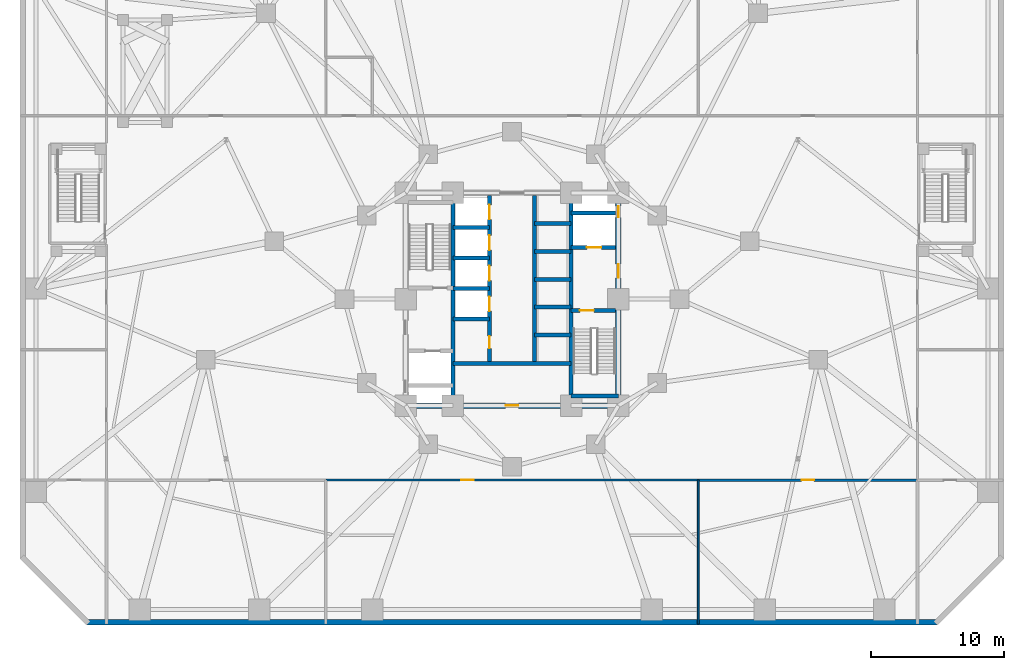
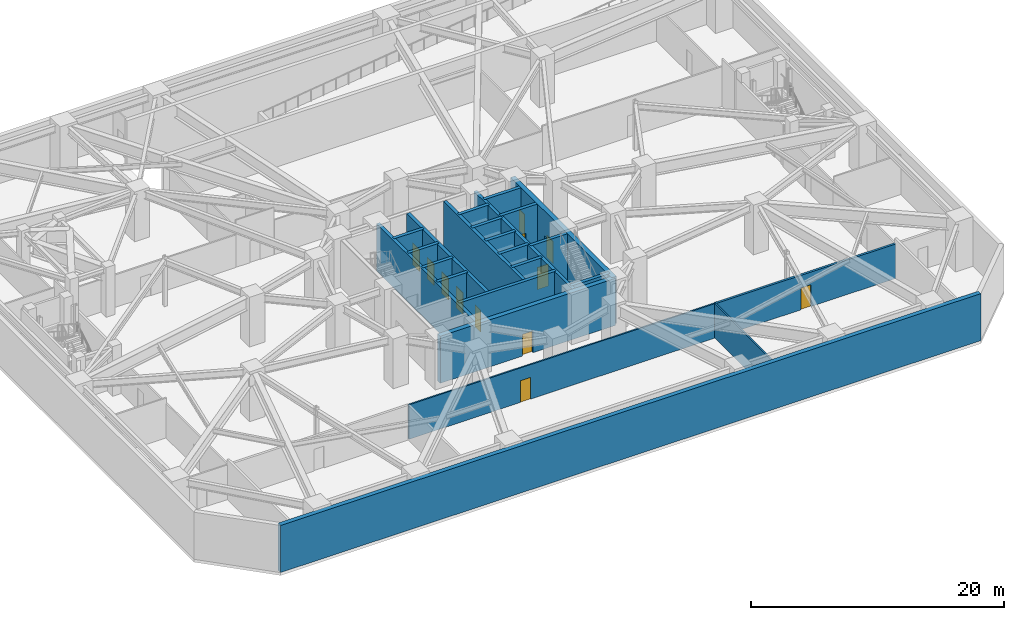
# One storey, part 12 of 18: 24 walls, 12 doors, 12 openings.
"""IFC4 building model written with IfcOpenShell, lengths in metres."""

from ifc_helpers import new_model, si_unit, direction, frame, frame_2d, origin, place, context, subcontext, project, spatial, rectangle, extrude, material, layer, layer_set, type_object, element, fill, save


model = new_model("IFC4")

# Units and contexts
model_context = context("Model", 3, precision=1e-05, world=origin(), true_north=direction((0.0, 1.0)))
body_context = subcontext(model_context, "Body", "Model", "MODEL_VIEW")
ifc_project = project(units=[si_unit("LENGTHUNIT", "METRE"), si_unit("AREAUNIT", "SQUARE_METRE"), si_unit("VOLUMEUNIT", "CUBIC_METRE"), si_unit("PLANEANGLEUNIT", "RADIAN"), si_unit("MASSUNIT", "GRAM", prefix="KILO")], contexts=[model_context])

# Site, building, storey
site_placement = place(None, origin())
site = spatial("IfcSite", under=ifc_project, at=site_placement, CompositionType="ELEMENT")
building_placement = place(site_placement, origin())
building = spatial("IfcBuilding", under=site, at=building_placement, Name="Terralouvre Media Tower", CompositionType="ELEMENT")
storey_placement = place(building_placement, frame((0.0, 0.0, -4.800048828125)))
storey = spatial("IfcBuildingStorey", under=building, at=storey_placement, Name="B01", CompositionType="ELEMENT", Elevation=-4.800048828125)

# Walls
ifc_material_1 = material(Name="Concrete C50/60", Category="concrete")
ifc_layer_1 = layer(ifc_material_1, 0.39990234375, Name="Basement Perimeter Retaining Wall EW-RC400")
ifc_layer_set_1 = layer_set([ifc_layer_1], Name="Concrete C50/60")
wall_type_1 = type_object("IfcWallType", Name="Basement Perimeter Retaining Wall EW-RC400", PredefinedType="USERDEFINED", material=ifc_layer_set_1)
wall_1_placement = place(storey_placement, frame((-32.0, -24.300048828125, 0.0), z_axis=(0.0, 0.0, 1.0), x_axis=(1.0, 0.0, 0.0)))
element("IfcWall", 1, at=wall_1_placement, inside=storey, type_object=wall_type_1, Name="B01 Perimeter Retaining Wall 01", ObjectType="RETAINING", PredefinedType="USERDEFINED", context=body_context, shape_type="SweptSolid", body=[
    extrude(rectangle(XDim=64.0, YDim=0.39990234375, at=frame_2d((32.0, 0.0))), origin(), (0.0, 0.0, 1.0), 4.550048828125),
])
ifc_material_2 = material(Name="Concrete C50/60", Category="concrete")
ifc_layer_2 = layer(ifc_material_2, 0.300048828125, Name="Core Internal Shaft Wall CW-300")
ifc_layer_set_2 = layer_set([ifc_layer_2], Name="Concrete C50/60")
wall_type_2 = type_object("IfcWallType", Name="Core Internal Shaft Wall CW-300", PredefinedType="SHEAR", material=ifc_layer_set_2)
for number, where, z_axis, x_axis, name in (
    (2, (-4.449951171875, -7.7900390625, 0.0), (0.0, 0.0, 1.0), (0.0, 1.0, 0.0), "B01 Core Shaft Wall SPW"),
    (3, (4.449951171875, -7.7900390625, 0.0), (0.0, 0.0, 1.0), (0.0, 1.0, 0.0), "B01 Core Shaft Wall SPE"),
):
    element("IfcWall", number, at=place(storey_placement, frame(where, z_axis=z_axis, x_axis=x_axis)), inside=storey, type_object=wall_type_2, Name=name, PredefinedType="SHEAR", context=body_context, shape_type="SweptSolid", body=[
        extrude(rectangle(XDim=15.580078125, YDim=0.300048828125, at=frame_2d((7.7900390625, 0.0))), origin(), (0.0, 0.0, 1.0), 4.550048828125),
    ])

# Wall, opening, door
wall_2_placement = place(storey_placement, frame((4.449951171875, -0.85009765625, 0.0), z_axis=(0.0, 0.0, 1.0), x_axis=(1.0, 0.0, 0.0)))
wall_2 = element("IfcWall", 4, at=wall_2_placement, inside=storey, type_object=wall_type_2, Name="B01 Core Shaft Wall ST2D", PredefinedType="SHEAR", context=body_context, shape_type="SweptSolid", body=[
    extrude(rectangle(XDim=3.340087890625, YDim=0.300048828125, at=frame_2d((1.669921875, 0.0))), origin(), (0.0, 0.0, 1.0), 4.550048828125),
])
opening_1_placement = place(wall_2_placement, frame((0.64990234375, 0.0, 0.0)))
opening_1 = element("IfcOpeningElement", 5, at=opening_1_placement, cuts=wall_2, Name="Opening FD-01-105X215", PredefinedType="OPENING", context=body_context, shape_type="SweptSolid", body=[
    extrude(rectangle(XDim=1.050048828125, YDim=2.14990234375, at=frame_2d((0.52490234375, 1.074951171875))), frame((0.0, 0.159912109375, 0.0), z_axis=(0.0, -1.0, 0.0), x_axis=(1.0, 0.0, 0.0)), (0.0, 0.0, 1.0), 0.320068359375),
])
ifc_material_3 = material(Name="Galvanised steel fire-resisting leaf", Category="steel")
door_type_1 = type_object("IfcDoorType", Name="Stair and Firefighting Lobby Fire Door FD-01 (1050x2150)", OperationType="NOTDEFINED", PredefinedType="DOOR", material=ifc_material_3)
door_1_placement = place(opening_1_placement, origin())
door_1 = element("IfcDoor", 6, at=door_1_placement, inside=storey, type_object=door_type_1, Name="B01 ST-02 Exit Stair Door", OperationType="SINGLE_SWING_RIGHT", OverallHeight=2.14990234375, OverallWidth=1.050048828125, PredefinedType="DOOR", context=body_context, shape_type="SweptSolid", body=[
    extrude(rectangle(XDim=1.050048828125, YDim=2.14990234375, at=frame_2d((0.52490234375, 1.074951171875))), frame((0.0, 0.02490234375, 0.0), z_axis=(0.0, -1.0, 0.0), x_axis=(1.0, 0.0, 0.0)), (0.0, 0.0, 1.0), 0.050048828125),
])
fill(opening_1, door_1)

# Wall
wall_3_placement = place(storey_placement, frame((4.449951171875, -7.260009765625, 0.0), z_axis=(0.0, 0.0, 1.0), x_axis=(1.0, 0.0, 0.0)))
element("IfcWall", 7, at=wall_3_placement, inside=storey, type_object=wall_type_2, Name="B01 Core Shaft Wall ST2F", PredefinedType="SHEAR", context=body_context, shape_type="SweptSolid", body=[
    extrude(rectangle(XDim=3.550048828125, YDim=0.300048828125, at=frame_2d((1.77490234375, 0.0))), origin(), (0.0, 0.0, 1.0), 4.550048828125),
])

# Wall, opening, door
wall_4_placement = place(storey_placement, frame((4.449951171875, 3.89990234375, 0.0), z_axis=(0.0, 0.0, 1.0), x_axis=(1.0, 0.0, 0.0)))
wall_4 = element("IfcWall", 8, at=wall_4_placement, inside=storey, type_object=wall_type_2, Name="B01 Core Shaft Wall FF2S", PredefinedType="SHEAR", context=body_context, shape_type="SweptSolid", body=[
    extrude(rectangle(XDim=3.340087890625, YDim=0.300048828125, at=frame_2d((1.669921875, 0.0))), origin(), (0.0, 0.0, 1.0), 4.550048828125),
])
opening_2_placement = place(wall_4_placement, frame((1.179931640625, 0.0, 0.0)))
opening_2 = element("IfcOpeningElement", 9, at=opening_2_placement, cuts=wall_4, Name="Opening LD-FF", PredefinedType="OPENING", context=body_context, shape_type="SweptSolid", body=[
    extrude(rectangle(XDim=1.10009765625, YDim=2.10009765625, at=frame_2d((0.550048828125, 1.050048828125))), frame((0.0, 0.159912109375, 0.0), z_axis=(0.0, -1.0, 0.0), x_axis=(1.0, 0.0, 0.0)), (0.0, 0.0, 1.0), 0.320068359375),
])
ifc_material_4 = material(Name="Stainless steel 316 handrail and balustrade", Category="steel")
door_type_2 = type_object("IfcDoorType", Name="Firefighting Lift Sliding Landing Door LD-FF", OperationType="SLIDING_TO_LEFT", PredefinedType="DOOR", material=ifc_material_4)
door_2_placement = place(opening_2_placement, origin())
door_2 = element("IfcDoor", 10, at=door_2_placement, inside=storey, type_object=door_type_2, Name="B01 Firefighting Lift FFL-02 Landing Door", OperationType="SLIDING_TO_LEFT", OverallHeight=2.10009765625, OverallWidth=1.10009765625, PredefinedType="DOOR", context=body_context, shape_type="SweptSolid", body=[
    extrude(rectangle(XDim=1.10009765625, YDim=2.10009765625, at=frame_2d((0.550048828125, 1.050048828125))), frame((0.0, 0.02490234375, 0.0), z_axis=(0.0, -1.0, 0.0), x_axis=(1.0, 0.0, 0.0)), (0.0, 0.0, 1.0), 0.050048828125),
])
fill(opening_2, door_2)

# Walls
wall_5_placement = place(storey_placement, frame((4.449951171875, 6.5, 0.0), z_axis=(0.0, 0.0, 1.0), x_axis=(1.0, 0.0, 0.0)))
element("IfcWall", 11, at=wall_5_placement, inside=storey, type_object=wall_type_2, Name="B01 Core Shaft Wall FF2N", PredefinedType="SHEAR", context=body_context, shape_type="SweptSolid", body=[
    extrude(rectangle(XDim=3.340087890625, YDim=0.300048828125, at=frame_2d((1.669921875, 0.0))), origin(), (0.0, 0.0, 1.0), 4.550048828125),
])
wall_6_placement = place(storey_placement, frame((-4.449951171875, -4.85009765625, 0.0), z_axis=(0.0, 0.0, 1.0), x_axis=(1.0, 0.0, 0.0)))
element("IfcWall", 12, at=wall_6_placement, inside=storey, type_object=wall_type_2, Name="B01 Core Shaft Wall CSBN", PredefinedType="SHEAR", context=body_context, shape_type="SweptSolid", body=[
    extrude(rectangle(XDim=8.89990234375, YDim=0.300048828125, at=frame_2d((4.449951171875, 0.0))), origin(), (0.0, 0.0, 1.0), 4.550048828125),
])

# Wall, openings, doors
wall_7_placement = place(storey_placement, frame((-1.679931640625, -4.85009765625, 0.0), z_axis=(0.0, 0.0, 1.0), x_axis=(0.0, 1.0, 0.0)))
wall_7 = element("IfcWall", 13, at=wall_7_placement, inside=storey, type_object=wall_type_2, Name="B01 Core Shaft Wall LBW", PredefinedType="SHEAR", context=body_context, shape_type="SweptSolid", body=[
    extrude(rectangle(XDim=12.64013671875, YDim=0.300048828125, at=frame_2d((6.320068359375, 0.0))), origin(), (0.0, 0.0, 1.0), 4.550048828125),
])
opening_3_placement = place(wall_7_placement, frame((3.949951171875, 0.0, 0.0)))
opening_3 = element("IfcOpeningElement", 14, at=opening_3_placement, cuts=wall_7, Name="Opening LD-PL", PredefinedType="OPENING", context=body_context, shape_type="SweptSolid", body=[
    extrude(rectangle(XDim=1.10009765625, YDim=2.10009765625, at=frame_2d((0.550048828125, 1.050048828125))), frame((0.0, 0.159912109375, 0.0), z_axis=(0.0, -1.0, 0.0), x_axis=(1.0, 0.0, 0.0)), (0.0, 0.0, 1.0), 0.320068359375),
])
opening_4_placement = place(wall_7_placement, frame((6.25, 0.0, 0.0)))
opening_4 = element("IfcOpeningElement", 15, at=opening_4_placement, cuts=wall_7, Name="Opening LD-PL", PredefinedType="OPENING", context=body_context, shape_type="SweptSolid", body=[
    extrude(rectangle(XDim=1.10009765625, YDim=2.10009765625, at=frame_2d((0.550048828125, 1.050048828125))), frame((0.0, 0.159912109375, 0.0), z_axis=(0.0, -1.0, 0.0), x_axis=(1.0, 0.0, 0.0)), (0.0, 0.0, 1.0), 0.320068359375),
])
opening_5_placement = place(wall_7_placement, frame((8.550048828125, 0.0, 0.0)))
opening_5 = element("IfcOpeningElement", 16, at=opening_5_placement, cuts=wall_7, Name="Opening LD-PL", PredefinedType="OPENING", context=body_context, shape_type="SweptSolid", body=[
    extrude(rectangle(XDim=1.10009765625, YDim=2.10009765625, at=frame_2d((0.550048828125, 1.050048828125))), frame((0.0, 0.159912109375, 0.0), z_axis=(0.0, -1.0, 0.0), x_axis=(1.0, 0.0, 0.0)), (0.0, 0.0, 1.0), 0.320068359375),
])
opening_6_placement = place(wall_7_placement, frame((10.85009765625, 0.0, 0.0)))
opening_6 = element("IfcOpeningElement", 17, at=opening_6_placement, cuts=wall_7, Name="Opening LD-PL", PredefinedType="OPENING", context=body_context, shape_type="SweptSolid", body=[
    extrude(rectangle(XDim=1.10009765625, YDim=2.10009765625, at=frame_2d((0.550048828125, 1.050048828125))), frame((0.0, 0.159912109375, 0.0), z_axis=(0.0, -1.0, 0.0), x_axis=(1.0, 0.0, 0.0)), (0.0, 0.0, 1.0), 0.320068359375),
])
opening_7_placement = place(wall_7_placement, frame((1.14990234375, 0.0, 0.0)))
opening_7 = element("IfcOpeningElement", 18, at=opening_7_placement, cuts=wall_7, Name="Opening FD-05-92X210", PredefinedType="OPENING", context=body_context, shape_type="SweptSolid", body=[
    extrude(rectangle(XDim=0.919921875, YDim=2.10009765625, at=frame_2d((0.4599609375, 1.050048828125))), frame((0.0, 0.159912109375, 0.0), z_axis=(0.0, -1.0, 0.0), x_axis=(1.0, 0.0, 0.0)), (0.0, 0.0, 1.0), 0.320068359375),
])
ifc_material_5 = material(Name="Galvanised steel fire-resisting leaf", Category="steel")
door_type_3 = type_object("IfcDoorType", Name="Core Accessible Closet Fire Door FD-05 (920x2100)", OperationType="NOTDEFINED", PredefinedType="DOOR", material=ifc_material_5)
door_3_placement = place(opening_7_placement, origin())
door_3 = element("IfcDoor", 19, at=door_3_placement, inside=storey, type_object=door_type_3, Name="B01 Core Cleaners Closet Door", OperationType="SINGLE_SWING_LEFT", OverallHeight=2.10009765625, OverallWidth=0.919921875, PredefinedType="DOOR", context=body_context, shape_type="SweptSolid", body=[
    extrude(rectangle(XDim=0.919921875, YDim=2.10009765625, at=frame_2d((0.4599609375, 1.050048828125))), frame((0.0, 0.02490234375, 0.0), z_axis=(0.0, -1.0, 0.0), x_axis=(1.0, 0.0, 0.0)), (0.0, 0.0, 1.0), 0.050048828125),
])
fill(opening_7, door_3)
ifc_material_6 = material(Name="Stainless steel 316 handrail and balustrade", Category="steel")
door_type_4 = type_object("IfcDoorType", Name="Passenger Lift Sliding Landing Door LD-PL", OperationType="SLIDING_TO_LEFT", PredefinedType="DOOR", material=ifc_material_6)
door_4_placement = place(opening_3_placement, origin())
door_4 = element("IfcDoor", 20, at=door_4_placement, inside=storey, type_object=door_type_4, Name="B01 Low-Rise Lift PL-L1 Landing Door", OperationType="SLIDING_TO_LEFT", OverallHeight=2.10009765625, OverallWidth=1.10009765625, PredefinedType="DOOR", context=body_context, shape_type="SweptSolid", body=[
    extrude(rectangle(XDim=1.10009765625, YDim=2.10009765625, at=frame_2d((0.550048828125, 1.050048828125))), frame((0.0, 0.02490234375, 0.0), z_axis=(0.0, -1.0, 0.0), x_axis=(1.0, 0.0, 0.0)), (0.0, 0.0, 1.0), 0.050048828125),
])
fill(opening_3, door_4)
door_5_placement = place(opening_4_placement, origin())
door_5 = element("IfcDoor", 21, at=door_5_placement, inside=storey, type_object=door_type_4, Name="B01 Low-Rise Lift PL-L2 Landing Door", OperationType="SLIDING_TO_LEFT", OverallHeight=2.10009765625, OverallWidth=1.10009765625, PredefinedType="DOOR", context=body_context, shape_type="SweptSolid", body=[
    extrude(rectangle(XDim=1.10009765625, YDim=2.10009765625, at=frame_2d((0.550048828125, 1.050048828125))), frame((0.0, 0.02490234375, 0.0), z_axis=(0.0, -1.0, 0.0), x_axis=(1.0, 0.0, 0.0)), (0.0, 0.0, 1.0), 0.050048828125),
])
fill(opening_4, door_5)
door_6_placement = place(opening_5_placement, origin())
door_6 = element("IfcDoor", 22, at=door_6_placement, inside=storey, type_object=door_type_4, Name="B01 Low-Rise Lift PL-L3 Landing Door", OperationType="SLIDING_TO_LEFT", OverallHeight=2.10009765625, OverallWidth=1.10009765625, PredefinedType="DOOR", context=body_context, shape_type="SweptSolid", body=[
    extrude(rectangle(XDim=1.10009765625, YDim=2.10009765625, at=frame_2d((0.550048828125, 1.050048828125))), frame((0.0, 0.02490234375, 0.0), z_axis=(0.0, -1.0, 0.0), x_axis=(1.0, 0.0, 0.0)), (0.0, 0.0, 1.0), 0.050048828125),
])
fill(opening_5, door_6)
door_7_placement = place(opening_6_placement, origin())
door_7 = element("IfcDoor", 23, at=door_7_placement, inside=storey, type_object=door_type_4, Name="B01 Low-Rise Lift PL-L4 Landing Door", OperationType="SLIDING_TO_LEFT", OverallHeight=2.10009765625, OverallWidth=1.10009765625, PredefinedType="DOOR", context=body_context, shape_type="SweptSolid", body=[
    extrude(rectangle(XDim=1.10009765625, YDim=2.10009765625, at=frame_2d((0.550048828125, 1.050048828125))), frame((0.0, 0.02490234375, 0.0), z_axis=(0.0, -1.0, 0.0), x_axis=(1.0, 0.0, 0.0)), (0.0, 0.0, 1.0), 0.050048828125),
])
fill(opening_6, door_7)

# Walls
wall_8_placement = place(storey_placement, frame((1.679931640625, -4.85009765625, 0.0), z_axis=(0.0, 0.0, 1.0), x_axis=(0.0, 1.0, 0.0)))
element("IfcWall", 24, at=wall_8_placement, inside=storey, type_object=wall_type_2, Name="B01 Core Shaft Wall LBE", PredefinedType="SHEAR", context=body_context, shape_type="SweptSolid", body=[
    extrude(rectangle(XDim=12.64013671875, YDim=0.300048828125, at=frame_2d((6.320068359375, 0.0))), origin(), (0.0, 0.0, 1.0), 4.550048828125),
])
for number, where, z_axis, x_axis, name in (
    (25, (-4.449951171875, -1.5, 0.0), (0.0, 0.0, 1.0), (1.0, 0.0, 0.0), "B01 Core Shaft Wall PLLD0"),
    (26, (-4.449951171875, 0.800048828125, 0.0), (0.0, 0.0, 1.0), (1.0, 0.0, 0.0), "B01 Core Shaft Wall PLLD1"),
    (27, (-4.449951171875, 3.10009765625, 0.0), (0.0, 0.0, 1.0), (1.0, 0.0, 0.0), "B01 Core Shaft Wall PLLD2"),
    (28, (-4.449951171875, 5.39990234375, 0.0), (0.0, 0.0, 1.0), (1.0, 0.0, 0.0), "B01 Core Shaft Wall PLLD3"),
    (29, (1.679931640625, 1.5, 0.0), (0.0, 0.0, 1.0), (1.0, 0.0, 0.0), "B01 Core Shaft Wall PLMD0"),
    (30, (1.679931640625, 3.60009765625, 0.0), (0.0, 0.0, 1.0), (1.0, 0.0, 0.0), "B01 Core Shaft Wall PLMD1"),
    (31, (1.679931640625, 5.699951171875, 0.0), (0.0, 0.0, 1.0), (1.0, 0.0, 0.0), "B01 Core Shaft Wall PLMD2"),
    (32, (1.679931640625, -2.699951171875, 0.0), (0.0, 0.0, 1.0), (1.0, 0.0, 0.0), "B01 Core Shaft Wall PLHD1"),
    (33, (1.679931640625, -0.60009765625, 0.0), (0.0, 0.0, 1.0), (1.0, 0.0, 0.0), "B01 Core Shaft Wall PLHD2"),
):
    element("IfcWall", number, at=place(storey_placement, frame(where, z_axis=z_axis, x_axis=x_axis)), inside=storey, type_object=wall_type_2, Name=name, PredefinedType="SHEAR", context=body_context, shape_type="SweptSolid", body=[
        extrude(rectangle(XDim=2.77001953125, YDim=0.300048828125, at=frame_2d((1.385009765625, 0.0))), origin(), (0.0, 0.0, 1.0), 4.550048828125),
    ])

# Wall, openings, doors
ifc_material_7 = material(Name="Concrete C60/75", Category="concrete")
ifc_layer_3 = layer(ifc_material_7, 0.419921875, Name="Core Reinforced Concrete Shear Wall CW-420")
ifc_layer_set_3 = layer_set([ifc_layer_3], Name="Concrete C60/75")
wall_type_3 = type_object("IfcWallType", Name="Core Reinforced Concrete Shear Wall CW-420", PredefinedType="SHEAR", material=ifc_layer_set_3)
wall_9_placement = place(storey_placement, frame((8.0, -8.0, 0.0), z_axis=(0.0, 0.0, 1.0), x_axis=(0.0, 1.0, 0.0)))
wall_9 = element("IfcWall", 34, at=wall_9_placement, inside=storey, type_object=wall_type_3, Name="B01 E Core Shear Wall", PredefinedType="SHEAR", context=body_context, shape_type="SweptSolid", body=[
    extrude(rectangle(XDim=16.0, YDim=0.419921875, at=frame_2d((8.0, 0.0))), origin(), (0.0, 0.0, 1.0), 4.550048828125),
])
opening_8_placement = place(wall_9_placement, frame((9.60009765625, 0.0, 0.0)))
opening_8 = element("IfcOpeningElement", 35, at=opening_8_placement, cuts=wall_9, Name="Opening FD-01-105X215", PredefinedType="OPENING", context=body_context, shape_type="SweptSolid", body=[
    extrude(rectangle(XDim=1.050048828125, YDim=2.14990234375, at=frame_2d((0.52490234375, 1.074951171875))), frame((0.0, 0.219970703125, 0.0), z_axis=(0.0, -1.0, 0.0), x_axis=(1.0, 0.0, 0.0)), (0.0, 0.0, 1.0), 0.43994140625),
])
opening_9_placement = place(wall_9_placement, frame((14.148193359375, 0.0, 0.0)))
opening_9 = element("IfcOpeningElement", 36, at=opening_9_placement, cuts=wall_9, Name="Opening TD-R1", PredefinedType="OPENING", context=body_context, shape_type="SweptSolid", body=[
    extrude(rectangle(XDim=0.85009765625, YDim=2.02001953125, at=frame_2d((0.425048828125, 1.010009765625))), frame((0.0, 0.219970703125, 0.0), z_axis=(0.0, -1.0, 0.0), x_axis=(1.0, 0.0, 0.0)), (0.0, 0.0, 1.0), 0.43994140625),
])
ifc_material_8 = material(Name="Galvanised steel fire-resisting leaf", Category="steel")
door_type_5 = type_object("IfcDoorType", Name="Riser Inspection Access Trapdoor TD-R1", OperationType="NOTDEFINED", PredefinedType="TRAPDOOR", material=ifc_material_8)
door_8_placement = place(opening_9_placement, origin())
door_8 = element("IfcDoor", 37, at=door_8_placement, inside=storey, type_object=door_type_5, Name="B01 East Comms Riser Access Trapdoor", OperationType="SINGLE_SWING_RIGHT", OverallHeight=2.02001953125, OverallWidth=0.85009765625, PredefinedType="TRAPDOOR", context=body_context, shape_type="SweptSolid", body=[
    extrude(rectangle(XDim=0.85009765625, YDim=2.02001953125, at=frame_2d((0.425048828125, 1.010009765625))), frame((0.0, 0.02490234375, 0.0), z_axis=(0.0, -1.0, 0.0), x_axis=(1.0, 0.0, 0.0)), (0.0, 0.0, 1.0), 0.050048828125),
])
fill(opening_9, door_8)
door_9_placement = place(opening_8_placement, origin())
door_9 = element("IfcDoor", 38, at=door_9_placement, inside=storey, type_object=door_type_1, Name="B01 East Firefighting Lobby Entry Door", OperationType="SINGLE_SWING_LEFT", OverallHeight=2.14990234375, OverallWidth=1.050048828125, PredefinedType="DOOR", context=body_context, shape_type="SweptSolid", body=[
    extrude(rectangle(XDim=1.050048828125, YDim=2.14990234375, at=frame_2d((0.52490234375, 1.074951171875))), frame((0.0, 0.02490234375, 0.0), z_axis=(0.0, -1.0, 0.0), x_axis=(1.0, 0.0, 0.0)), (0.0, 0.0, 1.0), 0.050048828125),
])
fill(opening_8, door_9)

# Wall, opening, door
wall_10_placement = place(storey_placement, frame((-8.0, -8.0, 0.0), z_axis=(0.0, 0.0, 1.0), x_axis=(1.0, 0.0, 0.0)))
wall_10 = element("IfcWall", 39, at=wall_10_placement, inside=storey, type_object=wall_type_3, Name="B01 S Core Shear Wall", PredefinedType="SHEAR", context=body_context, shape_type="SweptSolid", body=[
    extrude(rectangle(XDim=16.0, YDim=0.419921875, at=frame_2d((8.0, 0.0))), origin(), (0.0, 0.0, 1.0), 4.550048828125),
])
opening_10_placement = place(wall_10_placement, frame((7.52001953125, 0.0, 0.0)))
opening_10 = element("IfcOpeningElement", 40, at=opening_10_placement, cuts=wall_10, Name="Opening FD-02-95X210", PredefinedType="OPENING", context=body_context, shape_type="SweptSolid", body=[
    extrude(rectangle(XDim=0.949951171875, YDim=2.10009765625, at=frame_2d((0.47509765625, 1.050048828125))), frame((0.0, 0.219970703125, 0.0), z_axis=(0.0, -1.0, 0.0), x_axis=(1.0, 0.0, 0.0)), (0.0, 0.0, 1.0), 0.43994140625),
])
ifc_material_9 = material(Name="Galvanised steel fire-resisting leaf", Category="steel")
door_type_6 = type_object("IfcDoorType", Name="Plant and Riser Fire Door FD-02 (950x2100)", OperationType="NOTDEFINED", PredefinedType="DOOR", material=ifc_material_9)
door_10_placement = place(opening_10_placement, origin())
door_10 = element("IfcDoor", 41, at=door_10_placement, inside=storey, type_object=door_type_6, Name="B01 Core Switchgear Plant Door", OperationType="SINGLE_SWING_LEFT", OverallHeight=2.10009765625, OverallWidth=0.949951171875, PredefinedType="DOOR", context=body_context, shape_type="SweptSolid", body=[
    extrude(rectangle(XDim=0.949951171875, YDim=2.10009765625, at=frame_2d((0.47509765625, 1.050048828125))), frame((0.0, 0.02490234375, 0.0), z_axis=(0.0, -1.0, 0.0), x_axis=(1.0, 0.0, 0.0)), (0.0, 0.0, 1.0), 0.050048828125),
])
fill(opening_10, door_10)

ifc_material_10 = material(Name="Fire-rated gypsum board drywall partition")
ifc_layer_4 = layer(ifc_material_10, 0.199951171875, Name="Fire-Rated Shaft and Lobby Partition FW-200")
ifc_layer_set_4 = layer_set([ifc_layer_4], Name="Fire-rated gypsum board drywall partition")
wall_type_4 = type_object("IfcWallType", Name="Fire-Rated Shaft and Lobby Partition FW-200", PredefinedType="SOLIDWALL", material=ifc_layer_set_4)
wall_11_placement = place(storey_placement, frame((14.0, -13.60009765625, 0.0), z_axis=(0.0, 0.0, 1.0), x_axis=(1.0, 0.0, 0.0)))
wall_11 = element("IfcWall", 42, at=wall_11_placement, inside=storey, type_object=wall_type_4, Name="B01 Interior Partition 004", PredefinedType="SOLIDWALL", context=body_context, shape_type="SweptSolid", body=[
    extrude(rectangle(XDim=16.5, YDim=0.199951171875, at=frame_2d((8.25, 0.0))), origin(), (0.0, 0.0, 1.0), 3.3349609375),
])
opening_11_placement = place(wall_11_placement, frame((7.77490234375, 0.0, 0.0)))
opening_11 = element("IfcOpeningElement", 43, at=opening_11_placement, cuts=wall_11, Name="Opening FD-02-95X210", PredefinedType="OPENING", context=body_context, shape_type="SweptSolid", body=[
    extrude(rectangle(XDim=0.949951171875, YDim=2.10009765625, at=frame_2d((0.47509765625, 1.050048828125))), frame((0.0, 0.10986328125, 0.0), z_axis=(0.0, -1.0, 0.0), x_axis=(1.0, 0.0, 0.0)), (0.0, 0.0, 1.0), 0.219970703125),
])
door_11_placement = place(opening_11_placement, origin())
door_11 = element("IfcDoor", 44, at=door_11_placement, inside=storey, type_object=door_type_6, Name="B01 B01 Emergency Generator Plant Room Door", OperationType="SINGLE_SWING_LEFT", OverallHeight=2.10009765625, OverallWidth=0.949951171875, PredefinedType="DOOR", context=body_context, shape_type="SweptSolid", body=[
    extrude(rectangle(XDim=0.949951171875, YDim=2.10009765625, at=frame_2d((0.47509765625, 1.050048828125))), frame((0.0, 0.02490234375, 0.0), z_axis=(0.0, -1.0, 0.0), x_axis=(1.0, 0.0, 0.0)), (0.0, 0.0, 1.0), 0.050048828125),
])
fill(opening_11, door_11)

ifc_material_11 = material(Name="Fire-rated gypsum board drywall partition")
ifc_layer_5 = layer(ifc_material_11, 0.135009765625, Name="Newsroom Acoustic Partition PT-135")
ifc_layer_set_5 = layer_set([ifc_layer_5], Name="Fire-rated gypsum board drywall partition")
wall_type_5 = type_object("IfcWallType", Name="Newsroom Acoustic Partition PT-135", PredefinedType="PARTITIONING", material=ifc_layer_set_5)
wall_12_placement = place(storey_placement, frame((-14.0, -13.60009765625, 0.0), z_axis=(0.0, 0.0, 1.0), x_axis=(1.0, 0.0, 0.0)))
wall_12 = element("IfcWall", 45, at=wall_12_placement, inside=storey, type_object=wall_type_5, Name="B01 Interior Partition 003", PredefinedType="PARTITIONING", context=body_context, shape_type="SweptSolid", body=[
    extrude(rectangle(XDim=28.0, YDim=0.135009765625, at=frame_2d((14.0, 0.0))), origin(), (0.0, 0.0, 1.0), 3.3349609375),
])
opening_12_placement = place(wall_12_placement, frame((10.1650390625, 0.0, 0.0)))
opening_12 = element("IfcOpeningElement", 46, at=opening_12_placement, cuts=wall_12, Name="Opening ID-02-95X210", PredefinedType="OPENING", context=body_context, shape_type="SweptSolid", body=[
    extrude(rectangle(XDim=0.949951171875, YDim=2.10009765625, at=frame_2d((0.47509765625, 1.050048828125))), frame((0.0, 0.077392578125, 0.0), z_axis=(0.0, -1.0, 0.0), x_axis=(1.0, 0.0, 0.0)), (0.0, 0.0, 1.0), 0.155029296875),
])
ifc_material_12 = material(Name="Engineered hardwood acoustic timber leaf", Category="wood")
door_type_7 = type_object("IfcDoorType", Name="Office and Meeting Room Door ID-02 (950x2100)", OperationType="NOTDEFINED", PredefinedType="DOOR", material=ifc_material_12)
door_12_placement = place(opening_12_placement, origin())
door_12 = element("IfcDoor", 47, at=door_12_placement, inside=storey, type_object=door_type_7, Name="B01 B01 OB Van Technical Servicing Store Door", OperationType="SINGLE_SWING_RIGHT", OverallHeight=2.10009765625, OverallWidth=0.949951171875, PredefinedType="DOOR", context=body_context, shape_type="SweptSolid", body=[
    extrude(rectangle(XDim=0.949951171875, YDim=2.10009765625, at=frame_2d((0.47509765625, 1.050048828125))), frame((0.0, 0.02490234375, 0.0), z_axis=(0.0, -1.0, 0.0), x_axis=(1.0, 0.0, 0.0)), (0.0, 0.0, 1.0), 0.050048828125),
])
fill(opening_12, door_12)

# Wall
wall_13_placement = place(storey_placement, frame((14.0, -24.419921875, 0.0), z_axis=(0.0, 0.0, 1.0), x_axis=(0.0, 1.0, 0.0)))
element("IfcWall", 48, at=wall_13_placement, inside=storey, type_object=wall_type_5, Name="B01 Interior Partition 018", PredefinedType="PARTITIONING", context=body_context, shape_type="SweptSolid", body=[
    extrude(rectangle(XDim=10.81982421875, YDim=0.135009765625, at=frame_2d((5.409912109375, 0.0))), origin(), (0.0, 0.0, 1.0), 3.3349609375),
])

save(model, "model.ifc")
